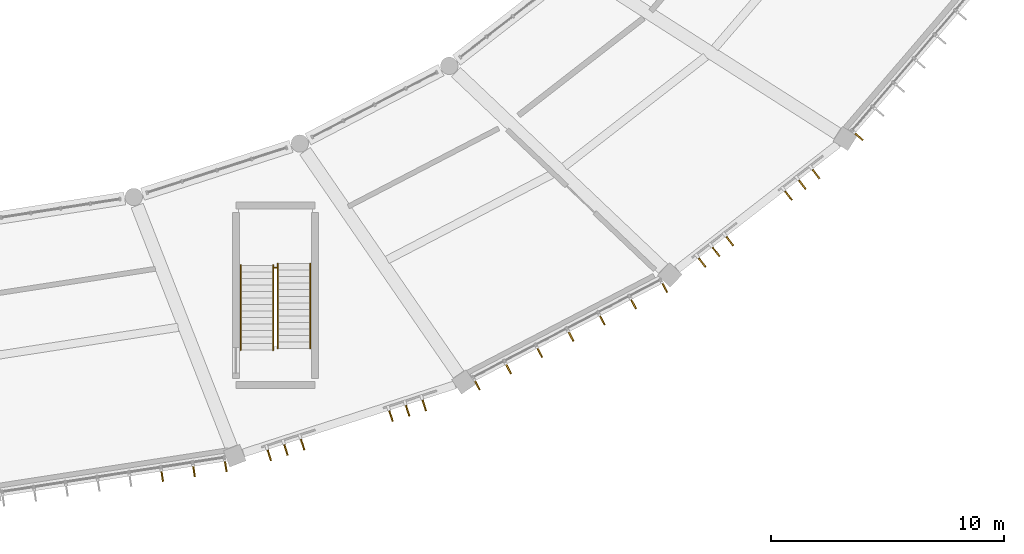
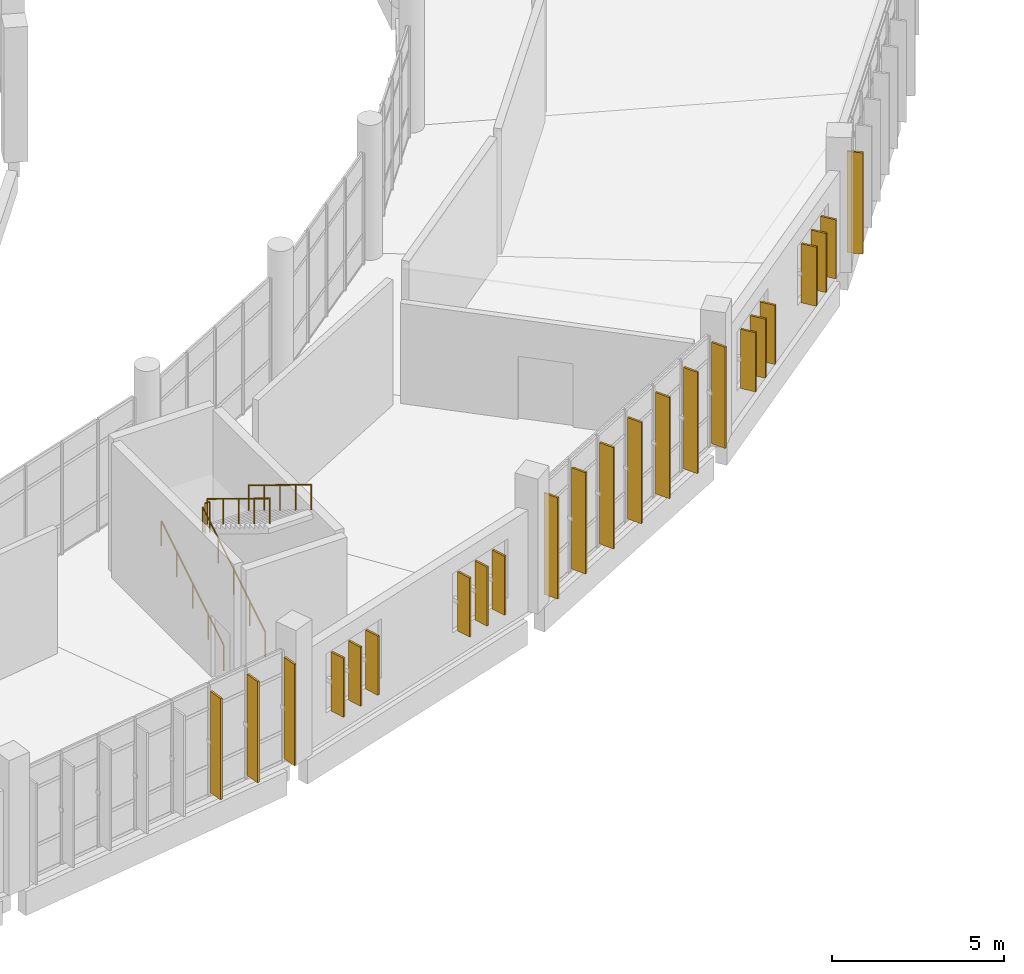
# One storey, part 162 of 179: 23 shading devices, 5 railings.
"""IFC4 building model written with IfcOpenShell, lengths in metres."""

from ifc_helpers import new_model, si_unit, direction, frame, origin, origin_2d, place, context, subcontext, project, spatial, rectangle, circle, extrude, material, layer, layer_set, type_object, element, save


model = new_model("IFC4")

# Units and contexts
model_context = context("Model", 3, precision=1e-05, world=origin(), true_north=direction((0.0, 1.0)))
body_context = subcontext(model_context, "Body", "Model", "MODEL_VIEW")
ifc_project = project(units=[si_unit("LENGTHUNIT", "METRE"), si_unit("AREAUNIT", "SQUARE_METRE"), si_unit("VOLUMEUNIT", "CUBIC_METRE"), si_unit("PLANEANGLEUNIT", "RADIAN"), si_unit("MASSUNIT", "GRAM", prefix="KILO")], contexts=[model_context])

# Site, building, storey
site_placement = place(None, origin())
site = spatial("IfcSite", under=ifc_project, at=site_placement, CompositionType="ELEMENT")
building_placement = place(site_placement, origin())
building = spatial("IfcBuilding", under=site, at=building_placement, Name="Corvandel Quay Wholesale Market", CompositionType="ELEMENT")
storey_placement = place(building_placement, frame((0.0, 0.0, 6.0)))
storey = spatial("IfcBuildingStorey", under=building, at=storey_placement, Name="L01", CompositionType="ELEMENT", Elevation=6.0)

# Railings
ifc_material_1 = material(Name="Painted galvanised tubular steel", Category="steel")
ifc_layer_1 = layer(ifc_material_1, 0.054931640625)
ifc_layer_set_1 = layer_set([ifc_layer_1], Name="Painted galvanised tubular steel")
railing_type_1 = type_object("IfcRailingType", Name="Stairwell Inner Guard Railing GR02 1100mm", PredefinedType="GUARDRAIL", material=ifc_layer_set_1)
railing_placement = place(storey_placement, frame((131.419921875, 9.68994140625, 2.39990234375)))
element("IfcRailing", 1, at=railing_placement, inside=storey, type_object=railing_type_1, Name="Stair Landing Well Guard 0044", PredefinedType="GUARDRAIL", context=body_context, shape_type="SweptSolid", body=[
    extrude(circle(Radius=0.02392578125, at=origin_2d()), frame((0.0, 0.0, 1.076171875), z_axis=(1.0, 0.0, 0.0), x_axis=(0.0, 1.0, 0.0)), (0.0, 0.0, 1.0), 0.16015625),
    extrude(circle(Radius=0.02099609375, at=origin_2d()), origin(), (0.0, 0.0, 1.0), 1.052001953125),
    extrude(circle(Radius=0.02099609375, at=origin_2d()), frame((0.16015625, 0.0, 0.0)), (0.0, 0.0, 1.0), 1.052001953125),
])
ifc_material_2 = material(Name="Brushed austenitic stainless steel Grade 316", Category="steel")
ifc_layer_2 = layer(ifc_material_2, 0.048095703125)
ifc_layer_set_2 = layer_set([ifc_layer_2], Name="Brushed austenitic stainless steel Grade 316")
railing_type_2 = type_object("IfcRailingType", Name="Tubular Stainless Stair Handrail HR01 915mm", PredefinedType="HANDRAIL", material=ifc_layer_set_2)
for number, where, name in (
    (2, (130.010009765625, 6.14990234375, 0.17138671875), "Stair Handrail 0040"),
    (3, (131.39990234375, 6.14990234375, 0.17138671875), "Stair Handrail 0041"),
):
    element("IfcRailing", number, at=place(storey_placement, frame(where)), inside=storey, type_object=railing_type_2, Name=name, PredefinedType="HANDRAIL", context=body_context, shape_type="SweptSolid", body=[
        extrude(circle(Radius=0.02392578125, at=origin_2d()), frame((0.0, 0.0, 0.89111328125), z_axis=(0.0, 0.852865859571, 0.52213008492), x_axis=(-1.0, 0.0, 0.0)), (0.0, 0.0, 1.0), 4.26806640625),
        extrude(circle(Radius=0.02099609375, at=origin_2d()), origin(), (0.0, 0.0, 1.0), 0.866943359375),
        extrude(circle(Radius=0.02099609375, at=origin_2d()), frame((0.0, 0.91015625, 0.55712890625)), (0.0, 0.0, 1.0), 0.866943359375),
        extrude(circle(Radius=0.02099609375, at=origin_2d()), frame((0.0, 1.820068359375, 1.1142578125)), (0.0, 0.0, 1.0), 0.866943359375),
        extrude(circle(Radius=0.02099609375, at=origin_2d()), frame((0.0, 2.72998046875, 1.67138671875)), (0.0, 0.0, 1.0), 0.866943359375),
        extrude(circle(Radius=0.02099609375, at=origin_2d()), frame((0.0, 3.64013671875, 2.228515625)), (0.0, 0.0, 1.0), 0.866943359375),
    ])
for number, where, name in (
    (4, (131.60009765625, 9.860107421875, 2.5712890625), "Stair Handrail 0042"),
    (5, (132.989990234375, 9.860107421875, 2.5712890625), "Stair Handrail 0043"),
):
    element("IfcRailing", number, at=place(storey_placement, frame(where)), inside=storey, type_object=railing_type_2, Name=name, PredefinedType="HANDRAIL", context=body_context, shape_type="SweptSolid", body=[
        extrude(circle(Radius=0.02392578125, at=origin_2d()), frame((0.0, 0.0, 0.89111328125), z_axis=(0.0, -0.852840387347, 0.522171689878), x_axis=(1.0, 0.0, 0.0)), (0.0, 0.0, 1.0), 4.268310546875),
        extrude(circle(Radius=0.02099609375, at=origin_2d()), origin(), (0.0, 0.0, 1.0), 0.866943359375),
        extrude(circle(Radius=0.02099609375, at=origin_2d()), frame((0.0, -0.91015625, 0.55712890625)), (0.0, 0.0, 1.0), 0.866943359375),
        extrude(circle(Radius=0.02099609375, at=origin_2d()), frame((0.0, -1.820068359375, 1.1142578125)), (0.0, 0.0, 1.0), 0.866943359375),
        extrude(circle(Radius=0.02099609375, at=origin_2d()), frame((0.0, -2.72998046875, 1.671630859375)), (0.0, 0.0, 1.0), 0.866943359375),
        extrude(circle(Radius=0.02099609375, at=origin_2d()), frame((0.0, -3.64013671875, 2.228759765625)), (0.0, 0.0, 1.0), 0.866943359375),
    ])

# Shading devices
ifc_material_3 = material(Name="Bronze anodised extruded aluminium 6063-T6", Category="aluminium")
shading_device_type = type_object("IfcShadingDeviceType", Name="Vertical Anodised Bronze Solar Fin FN01 480mm", PredefinedType="JALOUSIE", material=ifc_material_3)
for number, where, z_axis, x_axis, name in (
    (6, (126.637939453125, 0.747802734375, 0.175048828125), (0.0, 0.0, 1.0), (-0.152813355565, 0.98825506746, 0.0), "Solar Fin 0155"),
    (7, (128.001220703125, 0.958740234375, 0.175048828125), (0.0, 0.0, 1.0), (-0.152813355565, 0.98825506746, 0.0), "Solar Fin 0156"),
    (8, (129.364501953125, 1.169677734375, 0.175048828125), (0.0, 0.0, 1.0), (-0.152813355565, 0.98825506746, 0.0), "Solar Fin 0157"),
):
    element("IfcShadingDevice", number, at=place(storey_placement, frame(where, z_axis=z_axis, x_axis=x_axis)), inside=storey, type_object=shading_device_type, Name=name, PredefinedType="JALOUSIE", context=body_context, shape_type="SweptSolid", body=[
        extrude(rectangle(XDim=0.47998046875, YDim=0.06494140625, at=origin_2d()), origin(), (0.0, 0.0, 1.0), 3.60009765625),
    ])
for number, where, z_axis, x_axis, name in (
    (9, (131.237548828125, 1.630615234375, 0.949951171875), (0.0, 0.0, 1.0), (-0.306692204733, 0.951808747363, 0.0), "Solar Fin 0173"),
    (10, (131.951416015625, 1.860595703125, 0.949951171875), (0.0, 0.0, 1.0), (-0.306692204733, 0.951808747363, 0.0), "Solar Fin 0174"),
    (11, (132.665283203125, 2.090576171875, 0.949951171875), (0.0, 0.0, 1.0), (-0.306692204733, 0.951808747363, 0.0), "Solar Fin 0175"),
    (12, (136.458251953125, 3.3125, 0.949951171875), (0.0, 0.0, 1.0), (-0.306692204733, 0.951808747363, 0.0), "Solar Fin 0176"),
    (13, (137.172119140625, 3.54248046875, 0.949951171875), (0.0, 0.0, 1.0), (-0.306692204733, 0.951808747363, 0.0), "Solar Fin 0177"),
    (14, (137.885986328125, 3.7724609375, 0.949951171875), (0.0, 0.0, 1.0), (-0.306692204733, 0.951808747363, 0.0), "Solar Fin 0178"),
):
    element("IfcShadingDevice", number, at=place(storey_placement, frame(where, z_axis=z_axis, x_axis=x_axis)), inside=storey, type_object=shading_device_type, Name=name, PredefinedType="JALOUSIE", context=body_context, shape_type="SweptSolid", body=[
        extrude(rectangle(XDim=0.47998046875, YDim=0.06494140625, at=origin_2d()), origin(), (0.0, 0.0, 1.0), 2.10009765625),
    ])
for number, where, z_axis, x_axis, name in (
    (15, (140.153564453125, 4.650390625, 0.175048828125), (0.0, 0.0, 1.0), (-0.461129250378, 0.887332978338, 0.0), "Solar Fin 0189"),
    (16, (141.494384765625, 5.34716796875, 0.175048828125), (0.0, 0.0, 1.0), (-0.461129250378, 0.887332978338, 0.0), "Solar Fin 0190"),
    (17, (142.835205078125, 6.0439453125, 0.175048828125), (0.0, 0.0, 1.0), (-0.461129250378, 0.887332978338, 0.0), "Solar Fin 0191"),
    (18, (144.17626953125, 6.74072265625, 0.175048828125), (0.0, 0.0, 1.0), (-0.461129250378, 0.887332978338, 0.0), "Solar Fin 0192"),
    (19, (145.51708984375, 7.4375, 0.175048828125), (0.0, 0.0, 1.0), (-0.461129250378, 0.887332978338, 0.0), "Solar Fin 0193"),
    (20, (146.85791015625, 8.134521484375, 0.175048828125), (0.0, 0.0, 1.0), (-0.461129250378, 0.887332978338, 0.0), "Solar Fin 0194"),
    (21, (148.198974609375, 8.831298828125, 0.175048828125), (0.0, 0.0, 1.0), (-0.461129250378, 0.887332978338, 0.0), "Solar Fin 0195"),
):
    element("IfcShadingDevice", number, at=place(storey_placement, frame(where, z_axis=z_axis, x_axis=x_axis)), inside=storey, type_object=shading_device_type, Name=name, PredefinedType="JALOUSIE", context=body_context, shape_type="SweptSolid", body=[
        extrude(rectangle(XDim=0.47998046875, YDim=0.06494140625, at=origin_2d()), origin(), (0.0, 0.0, 1.0), 3.60009765625),
    ])
for number, where, z_axis, x_axis, name in (
    (22, (149.81396484375, 9.900634765625, 0.949951171875), (0.0, 0.0, 1.0), (-0.614009720373, 0.789298462742, 0.0), "Solar Fin 0204"),
    (23, (150.406005859375, 10.361083984375, 0.949951171875), (0.0, 0.0, 1.0), (-0.614009720373, 0.789298462742, 0.0), "Solar Fin 0205"),
    (24, (150.998046875, 10.821533203125, 0.949951171875), (0.0, 0.0, 1.0), (-0.614009720373, 0.789298462742, 0.0), "Solar Fin 0206"),
    (25, (153.515869140625, 12.780029296875, 0.949951171875), (0.0, 0.0, 1.0), (-0.614009720373, 0.789298462742, 0.0), "Solar Fin 0207"),
    (26, (154.10791015625, 13.240478515625, 0.949951171875), (0.0, 0.0, 1.0), (-0.614009720373, 0.789298462742, 0.0), "Solar Fin 0208"),
    (27, (154.699951171875, 13.700927734375, 0.949951171875), (0.0, 0.0, 1.0), (-0.614009720373, 0.789298462742, 0.0), "Solar Fin 0209"),
):
    element("IfcShadingDevice", number, at=place(storey_placement, frame(where, z_axis=z_axis, x_axis=x_axis)), inside=storey, type_object=shading_device_type, Name=name, PredefinedType="JALOUSIE", context=body_context, shape_type="SweptSolid", body=[
        extrude(rectangle(XDim=0.47998046875, YDim=0.06494140625, at=origin_2d()), origin(), (0.0, 0.0, 1.0), 2.10009765625),
    ])
shading_device_placement = place(storey_placement, frame((156.526611328125, 15.32080078125, 0.175048828125), z_axis=(0.0, 0.0, 1.0), x_axis=(-0.758589401976, 0.651568967347, 0.0)))
element("IfcShadingDevice", 28, at=shading_device_placement, inside=storey, type_object=shading_device_type, Name="Solar Fin 0223", PredefinedType="JALOUSIE", context=body_context, shape_type="SweptSolid", body=[
    extrude(rectangle(XDim=0.47998046875, YDim=0.06494140625, at=origin_2d()), origin(), (0.0, 0.0, 1.0), 3.60009765625),
])

save(model, "model.ifc")
